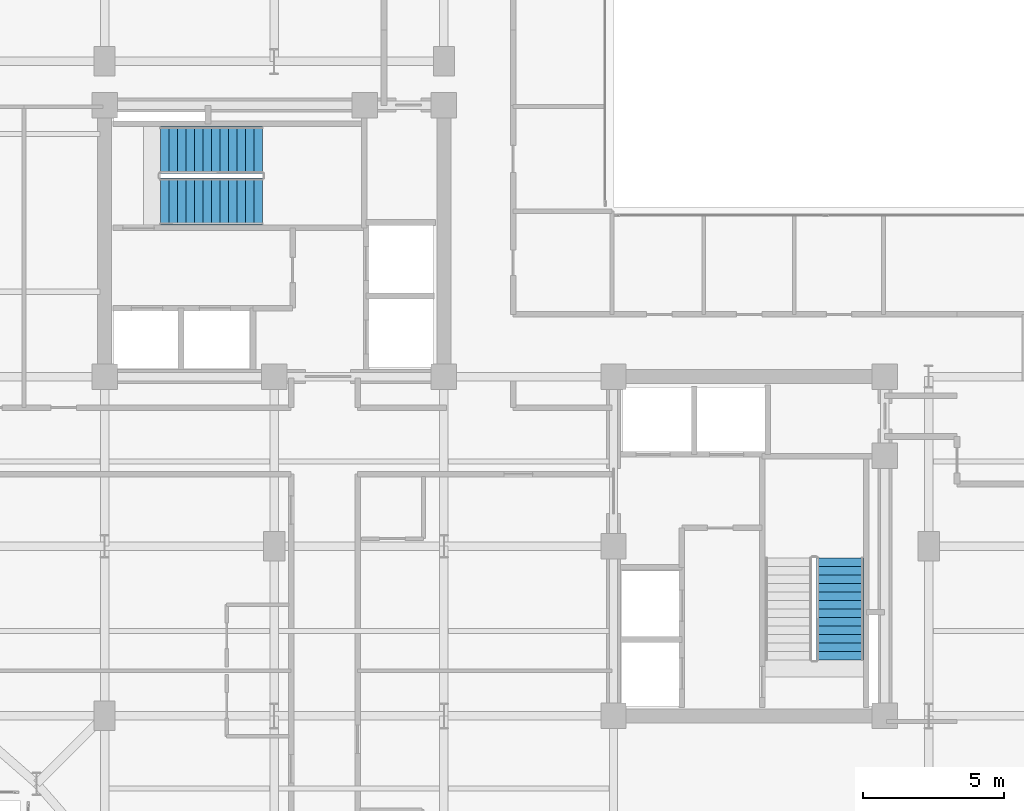
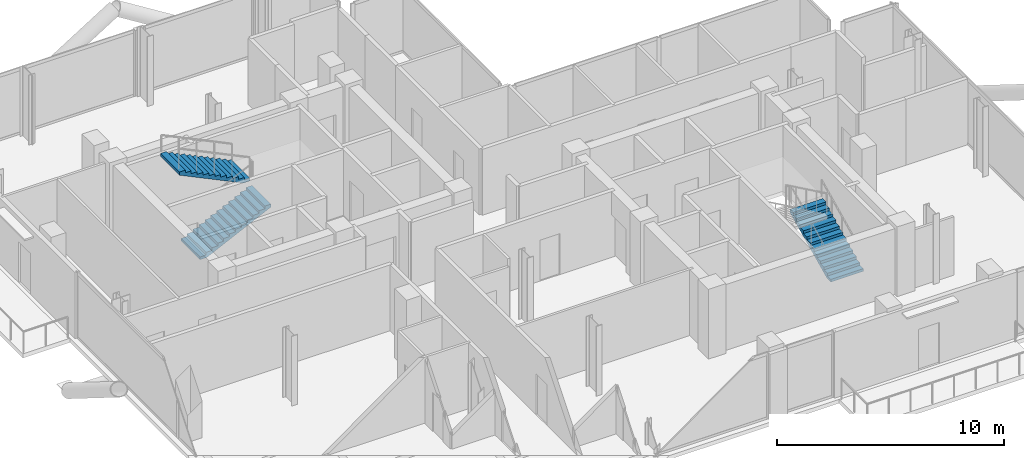
# One storey, part 22 of 25: 3 stair flights, 2 elements without a shape of their own.
"""IFC4 building model written with IfcOpenShell, lengths in metres."""

from ifc_helpers import new_model, si_unit, direction, frame, origin, place, context, subcontext, project, spatial, polyline, outline, extrude, material, type_object, element, aggregate, save


model = new_model("IFC4")

# Units and contexts
model_context = context("Model", 3, precision=1e-05, world=origin(), true_north=direction((0.0, 1.0)))
body_context = subcontext(model_context, "Body", "Model", "MODEL_VIEW")
ifc_project = project(units=[si_unit("LENGTHUNIT", "METRE"), si_unit("AREAUNIT", "SQUARE_METRE"), si_unit("VOLUMEUNIT", "CUBIC_METRE"), si_unit("PLANEANGLEUNIT", "RADIAN"), si_unit("MASSUNIT", "GRAM", prefix="KILO"), si_unit("THERMODYNAMICTEMPERATUREUNIT", "KELVIN"), si_unit("POWERUNIT", "WATT")], contexts=[model_context])

# Site, building, storey
site_placement = place(None, origin())
site = spatial("IfcSite", under=ifc_project, at=site_placement, CompositionType="ELEMENT")
building_placement = place(site_placement, origin())
building = spatial("IfcBuilding", under=site, at=building_placement, Name="Svarakhadi Broadcast Tower", CompositionType="ELEMENT")
storey_placement = place(building_placement, frame((0.0, 0.0, 212.39990234375)))
storey = spatial("IfcBuildingStorey", under=building, at=storey_placement, Name="L52", CompositionType="ELEMENT", Elevation=212.39990234375)

# Stair, stair flights
ifc_material = material(Name="Concrete C40/50 (IS 456 M50)", Category="concrete")
stair_type = type_object("IfcStairType", Name="Stair_Exit_Core", PredefinedType="HALF_TURN_STAIR", material=ifc_material)
stair_1_placement = place(storey_placement, origin())
stair_1 = element("IfcStair", 1, at=stair_1_placement, inside=storey, type_object=stair_type, Name="L52 West Core Protected Exit Stair ST-01", PredefinedType="HALF_TURN_STAIR")
stair_flight_type = type_object("IfcStairFlightType", Name="Flight_RC_1680", PredefinedType="STRAIGHT", material=ifc_material)
stair_flight_1_placement = place(storey_placement, frame((7.97998046875, 24.18994140625, 0.0), z_axis=(0.0, 0.0, 1.0), x_axis=(1.0, 0.0, 0.0)))
stair_flight_1 = element("IfcStairFlight", 2, at=stair_flight_1_placement, type_object=stair_flight_type, Name="ST-01 flight 1", NumberOfRisers=13, NumberOfTreads=12, PredefinedType="STRAIGHT", RiserHeight=0.144230769, TreadLength=0.3, context=body_context, shape_type="SweptSolid", body=[
    extrude(outline(polyline([(0.0, 0.0), (0.0, 0.144287109375), (0.300048828125, 0.144287109375), (0.300048828125, 0.28857421875), (0.60009765625, 0.28857421875), (0.60009765625, 0.4326171875), (0.89990234375, 0.4326171875), (0.89990234375, 0.576904296875), (1.199951171875, 0.576904296875), (1.199951171875, 0.72119140625), (1.5, 0.72119140625), (1.5, 0.865478515625), (1.800048828125, 0.865478515625), (1.800048828125, 1.009521484375), (2.10009765625, 1.009521484375), (2.10009765625, 1.15380859375), (2.39990234375, 1.15380859375), (2.39990234375, 1.298095703125), (2.699951171875, 1.298095703125), (2.699951171875, 1.4423828125), (3.0, 1.4423828125), (3.0, 1.58642578125), (3.300048828125, 1.58642578125), (3.300048828125, 1.730712890625), (3.60009765625, 1.730712890625), (3.60009765625, 1.875), (3.60009765625, 1.564453125), (0.345947265625, 0.0), (0.0, 0.0)])), frame((0.0, 0.830078125, 0.0), z_axis=(0.0, -1.0, 0.0), x_axis=(1.0, 0.0, 0.0)), (0.0, 0.0, 1.0), 1.659912109375),
])
stair_flight_2_placement = place(storey_placement, frame((11.580078125, 26.010009765625, 1.875), z_axis=(0.0, 0.0, 1.0), x_axis=(-1.0, 0.0, 0.0)))
stair_flight_2 = element("IfcStairFlight", 3, at=stair_flight_2_placement, type_object=stair_flight_type, Name="ST-01 flight 2", NumberOfRisers=13, NumberOfTreads=12, PredefinedType="STRAIGHT", RiserHeight=0.144230769, TreadLength=0.3, context=body_context, shape_type="SweptSolid", body=[
    extrude(outline(polyline([(0.0, 0.0), (0.0, 0.144287109375), (0.300048828125, 0.144287109375), (0.300048828125, 0.28857421875), (0.60009765625, 0.28857421875), (0.60009765625, 0.4326171875), (0.89990234375, 0.4326171875), (0.89990234375, 0.576904296875), (1.199951171875, 0.576904296875), (1.199951171875, 0.72119140625), (1.5, 0.72119140625), (1.5, 0.865478515625), (1.800048828125, 0.865478515625), (1.800048828125, 1.009521484375), (2.10009765625, 1.009521484375), (2.10009765625, 1.15380859375), (2.39990234375, 1.15380859375), (2.39990234375, 1.298095703125), (2.699951171875, 1.298095703125), (2.699951171875, 1.4423828125), (3.0, 1.4423828125), (3.0, 1.58642578125), (3.300048828125, 1.58642578125), (3.300048828125, 1.730712890625), (3.60009765625, 1.730712890625), (3.60009765625, 1.875), (3.60009765625, 1.564453125), (0.345947265625, 0.0), (0.0, 0.0)])), frame((0.0, 0.830078125, 0.0), z_axis=(0.0, -1.0, 0.0), x_axis=(1.0, 0.0, 0.0)), (0.0, 0.0, 1.0), 1.659912109375),
])
aggregate(stair_1, [stair_flight_1, stair_flight_2])

# Stair, stair flight
stair_2_placement = place(storey_placement, origin())
stair_2 = element("IfcStair", 4, at=stair_2_placement, inside=storey, type_object=stair_type, Name="L52 East Core Protected Exit Stair ST-02", PredefinedType="HALF_TURN_STAIR")
stair_flight_3_placement = place(storey_placement, frame((32.010009765625, 7.97998046875, 0.0), z_axis=(0.0, 0.0, 1.0), x_axis=(0.0, 1.0, 0.0)))
stair_flight_3 = element("IfcStairFlight", 5, at=stair_flight_3_placement, type_object=stair_flight_type, Name="ST-02 flight 1", NumberOfRisers=13, NumberOfTreads=12, PredefinedType="STRAIGHT", RiserHeight=0.144230769, TreadLength=0.3, context=body_context, shape_type="SweptSolid", body=[
    extrude(outline(polyline([(0.0, 0.0), (0.0, 0.144287109375), (0.300048828125, 0.144287109375), (0.300048828125, 0.28857421875), (0.60009765625, 0.28857421875), (0.60009765625, 0.4326171875), (0.89990234375, 0.4326171875), (0.89990234375, 0.576904296875), (1.199951171875, 0.576904296875), (1.199951171875, 0.72119140625), (1.5, 0.72119140625), (1.5, 0.865478515625), (1.800048828125, 0.865478515625), (1.800048828125, 1.009521484375), (2.10009765625, 1.009521484375), (2.10009765625, 1.15380859375), (2.39990234375, 1.15380859375), (2.39990234375, 1.298095703125), (2.699951171875, 1.298095703125), (2.699951171875, 1.4423828125), (3.0, 1.4423828125), (3.0, 1.58642578125), (3.300048828125, 1.58642578125), (3.300048828125, 1.730712890625), (3.60009765625, 1.730712890625), (3.60009765625, 1.875), (3.60009765625, 1.564453125), (0.345947265625, 0.0), (0.0, 0.0)])), frame((0.0, 0.830078125, 0.0), z_axis=(0.0, -1.0, 0.0), x_axis=(1.0, 0.0, 0.0)), (0.0, 0.0, 1.0), 1.659912109375),
])
aggregate(stair_2, [stair_flight_3])

save(model, "model.ifc")
